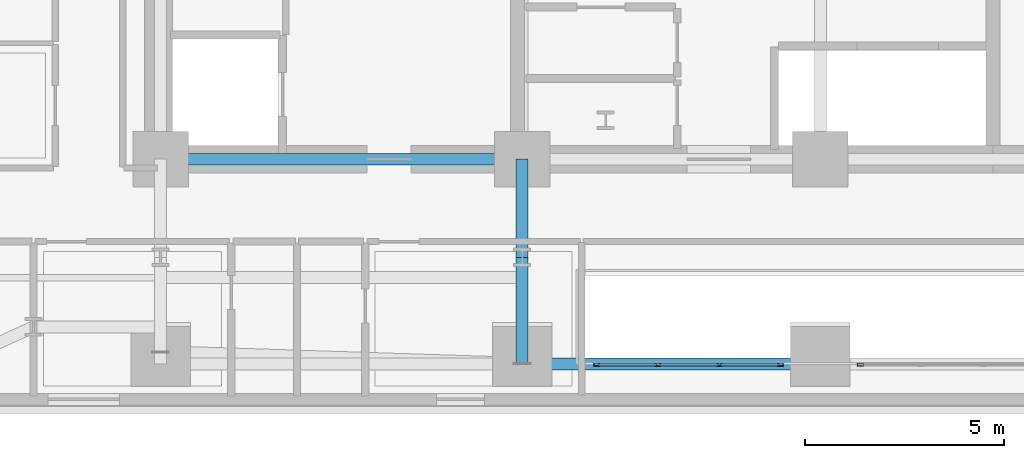
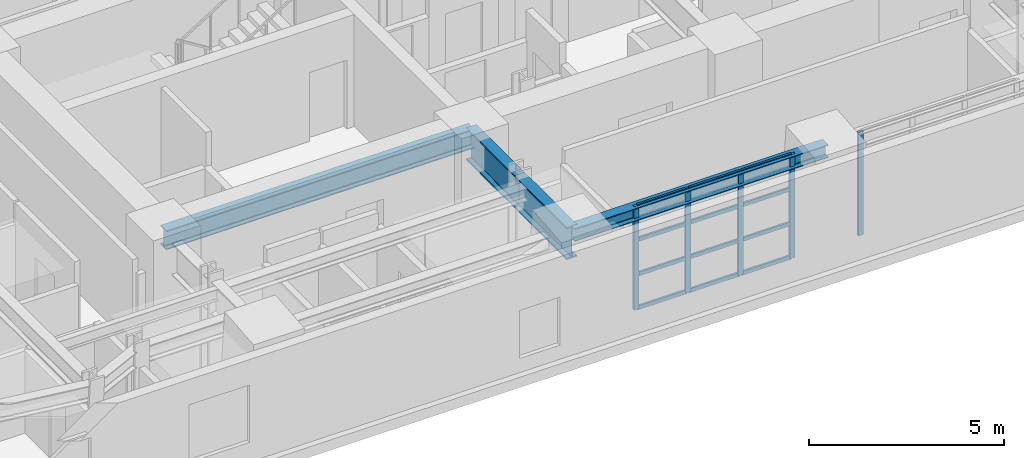
# One storey, part 2 of 15: 17 members, 4 beams, 2 elements without a shape of their own.
"""IFC4 building model written with IfcOpenShell, lengths in metres."""

from ifc_helpers import new_model, si_unit, direction, frame, origin, origin_2d, place, context, subcontext, project, spatial, hollow_rectangle, i_section, extrude, material, layer, layer_set, material_profile, profile_set, type_object, element, aggregate, save


model = new_model("IFC4")

# Units and contexts
model_context = context("Model", 3, precision=1e-05, world=origin(), true_north=direction((0.0, 1.0)))
body_context = subcontext(model_context, "Body", "Model", "MODEL_VIEW")
ifc_project = project(units=[si_unit("LENGTHUNIT", "METRE"), si_unit("AREAUNIT", "SQUARE_METRE"), si_unit("VOLUMEUNIT", "CUBIC_METRE"), si_unit("PLANEANGLEUNIT", "RADIAN"), si_unit("MASSUNIT", "GRAM", prefix="KILO")], contexts=[model_context])

# Site, building, storey
site_placement = place(None, origin())
site = spatial("IfcSite", under=ifc_project, at=site_placement, CompositionType="ELEMENT")
building_placement = place(site_placement, origin())
building = spatial("IfcBuilding", under=site, at=building_placement, Name="Zarnavel Station Tower", CompositionType="ELEMENT")
storey_placement = place(building_placement, frame((0.0, 0.0, 36.0)))
storey = spatial("IfcBuildingStorey", under=building, at=storey_placement, Name="L09", CompositionType="ELEMENT", Elevation=36.0)

# Curtain wall, members
ifc_material_1 = material(Name="Aluminium Dark Anodised and Solar-Control Glass", Category="aluminium")
ifc_layer = layer(ifc_material_1, 0.179931640625)
ifc_layer_set = layer_set([ifc_layer], Name="CWS2")
curtain_wall_type = type_object("IfcCurtainWallType", Name="CWS2", PredefinedType="NOTDEFINED", material=ifc_layer_set)
curtain_wall_1_placement = place(storey_placement, origin())
curtain_wall_1 = element("IfcCurtainWall", 1, at=curtain_wall_1_placement, inside=storey, type_object=curtain_wall_type, Name="L09 Curtain Wall CWS2-L09-AS-S1", PredefinedType="NOTDEFINED")
ifc_material_2 = material(Name="Steel S355J2 (Black Fluoropolymer Coated)", Category="steel")
ifc_material_profile_1 = material_profile(ifc_material_2, hollow_rectangle(XDim=0.074951171875, YDim=0.14990234375, WallThickness=0.00634765625, at=origin_2d()), Name="RHS150x75x6.3")
ifc_profile_set_1 = profile_set([ifc_material_profile_1], Name="Steel S355J2 (Black Fluoropolymer Coated)")
member_type_1 = type_object("IfcMemberType", Name="CWS2_MUL", PredefinedType="MULLION", material=ifc_profile_set_1)
member_1_placement = place(storey_placement, frame((23.179931640625, 22.64990234375, 0.0), z_axis=(0.0, 0.0, 1.0), x_axis=(0.0, 1.0, 0.0)))
member_1 = element("IfcMember", 2, at=member_1_placement, type_object=member_type_1, Name="CW2 mullion 1", PredefinedType="MULLION", context=body_context, shape_type="SweptSolid", body=[
    extrude(hollow_rectangle(XDim=0.074951171875, YDim=0.14990234375, WallThickness=0.00634765625, at=origin_2d()), origin(), (0.0, 0.0, 1.0), 3.239990234375),
])
member_2_placement = place(storey_placement, frame((24.706787109375, 22.64990234375, 0.0), z_axis=(0.0, 0.0, 1.0), x_axis=(0.0, 1.0, 0.0)))
member_2 = element("IfcMember", 3, at=member_2_placement, type_object=member_type_1, Name="CW2 mullion 2", PredefinedType="MULLION", context=body_context, shape_type="SweptSolid", body=[
    extrude(hollow_rectangle(XDim=0.074951171875, YDim=0.14990234375, WallThickness=0.00634765625, at=origin_2d()), origin(), (0.0, 0.0, 1.0), 3.239990234375),
])
member_3_placement = place(storey_placement, frame((26.263427734375, 22.64990234375, 0.0), z_axis=(0.0, 0.0, 1.0), x_axis=(0.0, 1.0, 0.0)))
member_3 = element("IfcMember", 4, at=member_3_placement, type_object=member_type_1, Name="CW2 mullion 3", PredefinedType="MULLION", context=body_context, shape_type="SweptSolid", body=[
    extrude(hollow_rectangle(XDim=0.074951171875, YDim=0.14990234375, WallThickness=0.00634765625, at=origin_2d()), origin(), (0.0, 0.0, 1.0), 3.239990234375),
])
member_4_placement = place(storey_placement, frame((27.7900390625, 22.64990234375, 0.0), z_axis=(0.0, 0.0, 1.0), x_axis=(0.0, 1.0, 0.0)))
member_4 = element("IfcMember", 5, at=member_4_placement, type_object=member_type_1, Name="CW2 mullion 4", PredefinedType="MULLION", context=body_context, shape_type="SweptSolid", body=[
    extrude(hollow_rectangle(XDim=0.074951171875, YDim=0.14990234375, WallThickness=0.00634765625, at=origin_2d()), origin(), (0.0, 0.0, 1.0), 3.239990234375),
])

# Curtain wall, member
curtain_wall_2_placement = place(storey_placement, origin())
curtain_wall_2 = element("IfcCurtainWall", 6, at=curtain_wall_2_placement, inside=storey, type_object=curtain_wall_type, Name="L09 Curtain Wall CWS2-L09-AS-S2", PredefinedType="NOTDEFINED")
member_5_placement = place(storey_placement, frame((29.81005859375, 22.64990234375, 0.0), z_axis=(0.0, 0.0, 1.0), x_axis=(0.0, 1.0, 0.0)))
member_5 = element("IfcMember", 7, at=member_5_placement, type_object=member_type_1, Name="CW2 mullion 1", PredefinedType="MULLION", context=body_context, shape_type="SweptSolid", body=[
    extrude(hollow_rectangle(XDim=0.074951171875, YDim=0.14990234375, WallThickness=0.00634765625, at=origin_2d()), origin(), (0.0, 0.0, 1.0), 3.239990234375),
])
aggregate(curtain_wall_2, [member_5])

# Member
ifc_material_3 = material(Name="Steel S355J2 (Black Fluoropolymer Coated)", Category="steel")
ifc_material_profile_2 = material_profile(ifc_material_3, hollow_rectangle(XDim=0.06005859375, YDim=0.1201171875, WallThickness=0.0048828125, at=origin_2d()), Name="RHS120x60x5")
ifc_profile_set_2 = profile_set([ifc_material_profile_2], Name="Steel S355J2 (Black Fluoropolymer Coated)")
member_type_2 = type_object("IfcMemberType", Name="CWS2_TRN", PredefinedType="USERDEFINED", material=ifc_profile_set_2)
member_6_placement = place(storey_placement, frame((23.2099609375, 22.64990234375, 0.030029296875), z_axis=(1.0, 0.0, 0.0), x_axis=(0.0, 1.0, 0.0)))
member_6 = element("IfcMember", 8, at=member_6_placement, type_object=member_type_2, Name="CW2 transom 1.1", ObjectType="TRANSOM", PredefinedType="USERDEFINED", context=body_context, shape_type="SweptSolid", body=[
    extrude(hollow_rectangle(XDim=0.06005859375, YDim=0.1201171875, WallThickness=0.0048828125, at=origin_2d()), origin(), (0.0, 0.0, 1.0), 1.466796875),
])

member_7_placement = place(storey_placement, frame((23.2099609375, 22.64990234375, 1.080078125), z_axis=(1.0, 0.0, 0.0), x_axis=(0.0, 1.0, 0.0)))
member_7 = element("IfcMember", 9, at=member_7_placement, type_object=member_type_2, Name="CW2 transom 1.2", ObjectType="TRANSOM", PredefinedType="USERDEFINED", context=body_context, shape_type="SweptSolid", body=[
    extrude(hollow_rectangle(XDim=0.06005859375, YDim=0.1201171875, WallThickness=0.0048828125, at=origin_2d()), origin(), (0.0, 0.0, 1.0), 1.466796875),
])

member_8_placement = place(storey_placement, frame((23.2099609375, 22.64990234375, 2.159912109375), z_axis=(1.0, 0.0, 0.0), x_axis=(0.0, 1.0, 0.0)))
member_8 = element("IfcMember", 10, at=member_8_placement, type_object=member_type_2, Name="CW2 transom 1.3", ObjectType="TRANSOM", PredefinedType="USERDEFINED", context=body_context, shape_type="SweptSolid", body=[
    extrude(hollow_rectangle(XDim=0.06005859375, YDim=0.1201171875, WallThickness=0.0048828125, at=origin_2d()), origin(), (0.0, 0.0, 1.0), 1.466796875),
])

member_9_placement = place(storey_placement, frame((23.2099609375, 22.64990234375, 3.2099609375), z_axis=(1.0, 0.0, 0.0), x_axis=(0.0, 1.0, 0.0)))
member_9 = element("IfcMember", 11, at=member_9_placement, type_object=member_type_2, Name="CW2 transom 1.4", ObjectType="TRANSOM", PredefinedType="USERDEFINED", context=body_context, shape_type="SweptSolid", body=[
    extrude(hollow_rectangle(XDim=0.06005859375, YDim=0.1201171875, WallThickness=0.0048828125, at=origin_2d()), origin(), (0.0, 0.0, 1.0), 1.466796875),
])

member_10_placement = place(storey_placement, frame((24.736572265625, 22.64990234375, 0.030029296875), z_axis=(1.0, 0.0, 0.0), x_axis=(0.0, 1.0, 0.0)))
member_10 = element("IfcMember", 12, at=member_10_placement, type_object=member_type_2, Name="CW2 transom 2.1", ObjectType="TRANSOM", PredefinedType="USERDEFINED", context=body_context, shape_type="SweptSolid", body=[
    extrude(hollow_rectangle(XDim=0.06005859375, YDim=0.1201171875, WallThickness=0.0048828125, at=origin_2d()), origin(), (0.0, 0.0, 1.0), 1.496826171875),
])

member_11_placement = place(storey_placement, frame((24.736572265625, 22.64990234375, 1.080078125), z_axis=(1.0, 0.0, 0.0), x_axis=(0.0, 1.0, 0.0)))
member_11 = element("IfcMember", 13, at=member_11_placement, type_object=member_type_2, Name="CW2 transom 2.2", ObjectType="TRANSOM", PredefinedType="USERDEFINED", context=body_context, shape_type="SweptSolid", body=[
    extrude(hollow_rectangle(XDim=0.06005859375, YDim=0.1201171875, WallThickness=0.0048828125, at=origin_2d()), origin(), (0.0, 0.0, 1.0), 1.496826171875),
])

member_12_placement = place(storey_placement, frame((24.736572265625, 22.64990234375, 2.159912109375), z_axis=(1.0, 0.0, 0.0), x_axis=(0.0, 1.0, 0.0)))
member_12 = element("IfcMember", 14, at=member_12_placement, type_object=member_type_2, Name="CW2 transom 2.3", ObjectType="TRANSOM", PredefinedType="USERDEFINED", context=body_context, shape_type="SweptSolid", body=[
    extrude(hollow_rectangle(XDim=0.06005859375, YDim=0.1201171875, WallThickness=0.0048828125, at=origin_2d()), origin(), (0.0, 0.0, 1.0), 1.496826171875),
])

member_13_placement = place(storey_placement, frame((24.736572265625, 22.64990234375, 3.2099609375), z_axis=(1.0, 0.0, 0.0), x_axis=(0.0, 1.0, 0.0)))
member_13 = element("IfcMember", 15, at=member_13_placement, type_object=member_type_2, Name="CW2 transom 2.4", ObjectType="TRANSOM", PredefinedType="USERDEFINED", context=body_context, shape_type="SweptSolid", body=[
    extrude(hollow_rectangle(XDim=0.06005859375, YDim=0.1201171875, WallThickness=0.0048828125, at=origin_2d()), origin(), (0.0, 0.0, 1.0), 1.496826171875),
])

member_14_placement = place(storey_placement, frame((26.293212890625, 22.64990234375, 0.030029296875), z_axis=(1.0, 0.0, 0.0), x_axis=(0.0, 1.0, 0.0)))
member_14 = element("IfcMember", 16, at=member_14_placement, type_object=member_type_2, Name="CW2 transom 3.1", ObjectType="TRANSOM", PredefinedType="USERDEFINED", context=body_context, shape_type="SweptSolid", body=[
    extrude(hollow_rectangle(XDim=0.06005859375, YDim=0.1201171875, WallThickness=0.0048828125, at=origin_2d()), origin(), (0.0, 0.0, 1.0), 1.466796875),
])

member_15_placement = place(storey_placement, frame((26.293212890625, 22.64990234375, 1.080078125), z_axis=(1.0, 0.0, 0.0), x_axis=(0.0, 1.0, 0.0)))
member_15 = element("IfcMember", 17, at=member_15_placement, type_object=member_type_2, Name="CW2 transom 3.2", ObjectType="TRANSOM", PredefinedType="USERDEFINED", context=body_context, shape_type="SweptSolid", body=[
    extrude(hollow_rectangle(XDim=0.06005859375, YDim=0.1201171875, WallThickness=0.0048828125, at=origin_2d()), origin(), (0.0, 0.0, 1.0), 1.466796875),
])

member_16_placement = place(storey_placement, frame((26.293212890625, 22.64990234375, 2.159912109375), z_axis=(1.0, 0.0, 0.0), x_axis=(0.0, 1.0, 0.0)))
member_16 = element("IfcMember", 18, at=member_16_placement, type_object=member_type_2, Name="CW2 transom 3.3", ObjectType="TRANSOM", PredefinedType="USERDEFINED", context=body_context, shape_type="SweptSolid", body=[
    extrude(hollow_rectangle(XDim=0.06005859375, YDim=0.1201171875, WallThickness=0.0048828125, at=origin_2d()), origin(), (0.0, 0.0, 1.0), 1.466796875),
])

member_17_placement = place(storey_placement, frame((26.293212890625, 22.64990234375, 3.2099609375), z_axis=(1.0, 0.0, 0.0), x_axis=(0.0, 1.0, 0.0)))
member_17 = element("IfcMember", 19, at=member_17_placement, type_object=member_type_2, Name="CW2 transom 3.4", ObjectType="TRANSOM", PredefinedType="USERDEFINED", context=body_context, shape_type="SweptSolid", body=[
    extrude(hollow_rectangle(XDim=0.06005859375, YDim=0.1201171875, WallThickness=0.0048828125, at=origin_2d()), origin(), (0.0, 0.0, 1.0), 1.466796875),
])

aggregate(curtain_wall_1, [member_1, member_2, member_3, member_4, member_6, member_7, member_8, member_9, member_10, member_11, member_12, member_13, member_14, member_15, member_16, member_17])

# Beams
ifc_material_4 = material(Name="Steel S355J2", Category="steel")
ifc_material_profile_3 = material_profile(ifc_material_4, i_section(OverallWidth=0.300048828125, OverallDepth=0.39990234375, WebThickness=0.013427734375, FlangeThickness=0.02392578125, FilletRadius=0.027099609375, at=origin_2d()), Name="HEB400")
ifc_profile_set_3 = profile_set([ifc_material_profile_3], Name="Steel S355J2")
beam_type_1 = type_object("IfcBeamType", Name="EB_HEB400", PredefinedType="SPANDREL", material=ifc_profile_set_3)
beam_1_placement = place(storey_placement, frame((21.300048828125, 22.672119140625, 3.0400390625), z_axis=(1.0, 0.0, 0.0), x_axis=(0.0, 1.0, 0.0)))
element("IfcBeam", 20, at=beam_1_placement, inside=storey, type_object=beam_type_1, Name="L09 South Raked Spandrel 2", PredefinedType="SPANDREL", context=body_context, shape_type="SweptSolid", body=[
    extrude(i_section(OverallWidth=0.300048828125, OverallDepth=0.39990234375, WebThickness=0.013427734375, FlangeThickness=0.02392578125, FilletRadius=0.027099609375, at=origin_2d()), origin(), (0.0, 0.0, 1.0), 7.5),
])
ifc_material_5 = material(Name="Steel S355J2", Category="steel")
ifc_material_profile_4 = material_profile(ifc_material_5, i_section(OverallWidth=0.300048828125, OverallDepth=0.60009765625, WebThickness=0.015380859375, FlangeThickness=0.030029296875, FilletRadius=0.027099609375, at=origin_2d()), Name="HEB600")
ifc_profile_set_4 = profile_set([ifc_material_profile_4], Name="Steel S355J2")
beam_type_2 = type_object("IfcBeamType", Name="FG_HEB600", PredefinedType="USERDEFINED", material=ifc_profile_set_4)
beam_2_placement = place(storey_placement, frame((12.199951171875, 27.820068359375, 2.93994140625), z_axis=(1.0, 0.0, 0.0), x_axis=(0.0, 1.0, 0.0)))
element("IfcBeam", 21, at=beam_2_placement, inside=storey, type_object=beam_type_2, Name="L09 Core Front Coupling Beam 1", ObjectType="GIRDER", PredefinedType="USERDEFINED", context=body_context, shape_type="SweptSolid", body=[
    extrude(i_section(OverallWidth=0.300048828125, OverallDepth=0.60009765625, WebThickness=0.015380859375, FlangeThickness=0.030029296875, FilletRadius=0.027099609375, at=origin_2d()), origin(), (0.0, 0.0, 1.0), 9.10009765625),
])
ifc_material_6 = material(Name="Steel S460M", Category="steel")
ifc_material_profile_5 = material_profile(ifc_material_6, i_section(OverallWidth=0.302001953125, OverallDepth=1.008056640625, WebThickness=0.02099609375, FlangeThickness=0.0400390625, FilletRadius=0.030029296875, at=origin_2d()), Name="HEM1000")
ifc_profile_set_5 = profile_set([ifc_material_profile_5], Name="Steel S460M")
beam_type_3 = type_object("IfcBeamType", Name="TG_HEM1000", PredefinedType="USERDEFINED", material=ifc_profile_set_5)
beam_3_placement = place(storey_placement, frame((21.300048828125, 22.672119140625, 2.736083984375), z_axis=(0.0, 1.0, 0.0), x_axis=(-1.0, 0.0, 0.0)))
element("IfcBeam", 22, at=beam_3_placement, inside=storey, type_object=beam_type_3, Name="L09 South-Zone NS Girder 2", ObjectType="GIRDER", PredefinedType="USERDEFINED", context=body_context, shape_type="SweptSolid", body=[
    extrude(i_section(OverallWidth=0.302001953125, OverallDepth=1.008056640625, WebThickness=0.02099609375, FlangeThickness=0.0400390625, FilletRadius=0.030029296875, at=origin_2d()), origin(), (0.0, 0.0, 1.0), 2.677978515625),
])
beam_4_placement = place(storey_placement, frame((21.300048828125, 25.35009765625, 2.736083984375), z_axis=(0.0, 1.0, 0.0), x_axis=(-1.0, 0.0, 0.0)))
element("IfcBeam", 23, at=beam_4_placement, inside=storey, type_object=beam_type_3, Name="L09 Inner-Zone NS Girder 2", ObjectType="GIRDER", PredefinedType="USERDEFINED", context=body_context, shape_type="SweptSolid", body=[
    extrude(i_section(OverallWidth=0.302001953125, OverallDepth=1.008056640625, WebThickness=0.02099609375, FlangeThickness=0.0400390625, FilletRadius=0.030029296875, at=origin_2d()), origin(), (0.0, 0.0, 1.0), 2.469970703125),
])

save(model, "model.ifc")
